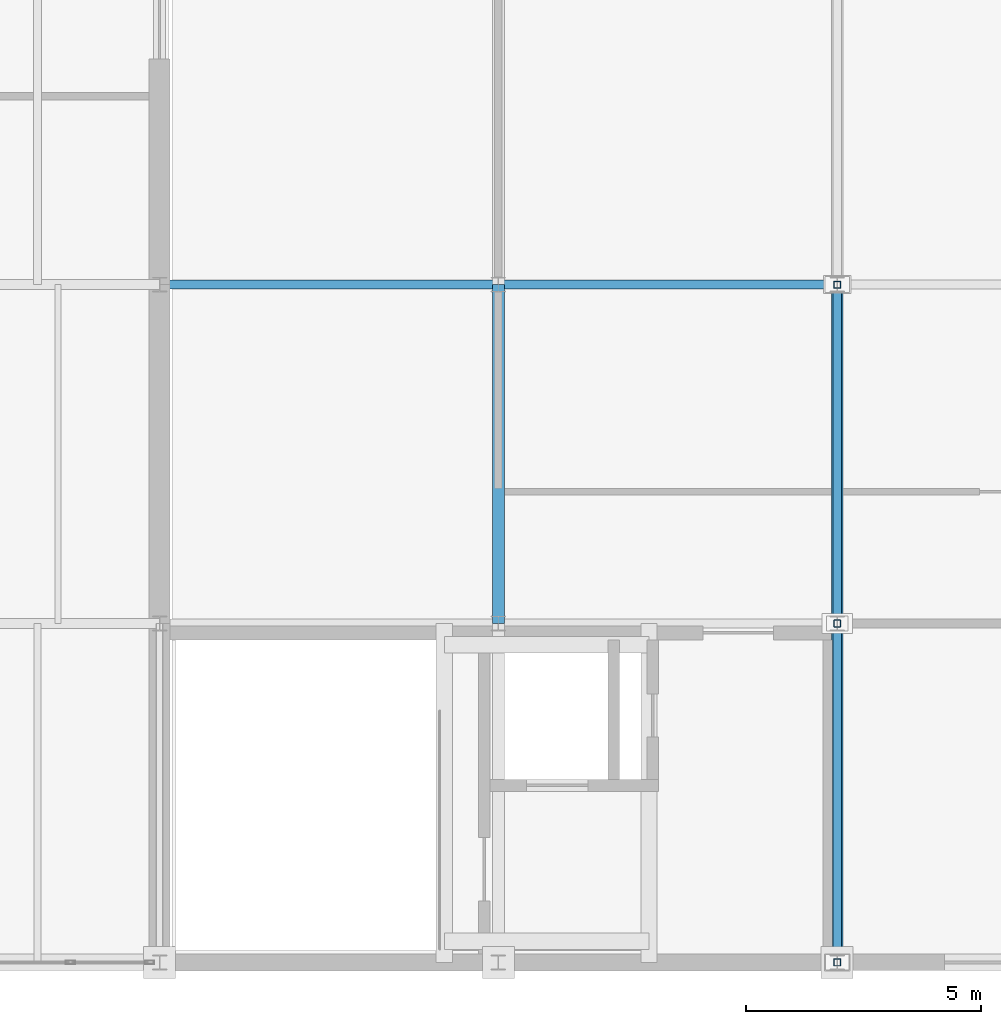
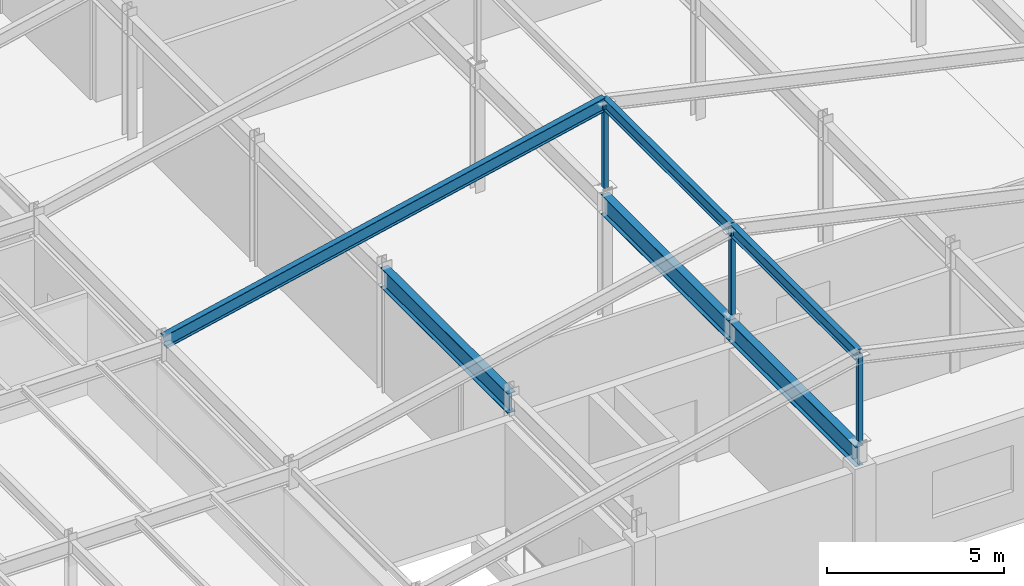
# One storey, part 76 of 137: 6 beams, 3 members.
"""IFC4 building model written with IfcOpenShell, lengths in metres."""

from ifc_helpers import new_model, si_unit, direction, frame, origin, origin_2d, place, context, subcontext, project, spatial, hollow_rectangle, i_section, extrude, material, material_profile, profile_set, type_object, element, save


model = new_model("IFC4")

# Units and contexts
model_context = context("Model", 3, precision=1e-05, world=origin(), true_north=direction((0.0, 1.0)))
body_context = subcontext(model_context, "Body", "Model", "MODEL_VIEW")
ifc_project = project(units=[si_unit("LENGTHUNIT", "METRE"), si_unit("AREAUNIT", "SQUARE_METRE"), si_unit("VOLUMEUNIT", "CUBIC_METRE"), si_unit("PLANEANGLEUNIT", "RADIAN"), si_unit("MASSUNIT", "GRAM", prefix="KILO")], contexts=[model_context])

# Site, building, storey
site_placement = place(None, origin())
site = spatial("IfcSite", under=ifc_project, at=site_placement, CompositionType="ELEMENT")
building_placement = place(site_placement, origin())
building = spatial("IfcBuilding", under=site, at=building_placement, Name="Kemerveld Promenade Tramway Depot", CompositionType="ELEMENT")
storey_placement = place(building_placement, frame((0.0, 0.0, 5.39990234375)))
storey = spatial("IfcBuildingStorey", under=building, at=storey_placement, Name="L01", CompositionType="ELEMENT", Elevation=5.39990234375)

# Beams
ifc_material = material(Name="Steel S355", Category="steel")
ifc_material_profile_1 = material_profile(ifc_material, i_section(OverallWidth=0.25439453125, OverallDepth=0.6875, WebThickness=0.01318359375, FlangeThickness=0.02099609375, FilletRadius=0.01513671875, at=origin_2d()), Name="686x254x152 UB")
ifc_profile_set_1 = profile_set([ifc_material_profile_1], Name="Steel S355")
beam_type_1 = type_object("IfcBeamType", Name="BM-G03", PredefinedType="BEAM", material=ifc_profile_set_1)
for number, where, z_axis, x_axis, name in (
    (1, (165.60009765625, 7.199951171875, 3.896484375), (0.0, 1.0, 0.0), (-1.0, 0.0, 0.0), "BMY-L01-24-B-C"),
    (2, (172.800048828125, 0.0, 3.896484375), (0.0, 1.0, 0.0), (-1.0, 0.0, 0.0), "BMY-L01-25-A-B"),
    (3, (172.800048828125, 7.199951171875, 3.896484375), (0.0, 1.0, 0.0), (-1.0, 0.0, 0.0), "BMY-L01-25-B-C"),
):
    element("IfcBeam", number, at=place(storey_placement, frame(where, z_axis=z_axis, x_axis=x_axis)), inside=storey, type_object=beam_type_1, Name=name, PredefinedType="BEAM", context=body_context, shape_type="SweptSolid", body=[
        extrude(i_section(OverallWidth=0.25439453125, OverallDepth=0.6875, WebThickness=0.01318359375, FlangeThickness=0.02099609375, FilletRadius=0.01513671875, at=origin_2d()), origin(), (0.0, 0.0, 1.0), 7.199951171875),
    ])
ifc_material_profile_2 = material_profile(ifc_material, i_section(OverallWidth=0.19140625, OverallDepth=0.4599609375, WebThickness=0.010009765625, FlangeThickness=0.01611328125, FilletRadius=0.01025390625, at=origin_2d()), Name="457x191x82 UB")
ifc_profile_set_2 = profile_set([ifc_material_profile_2], Name="Steel S355")
beam_type_2 = type_object("IfcBeamType", Name="BM-G06", PredefinedType="BEAM", material=ifc_profile_set_2)
beam_placement = place(storey_placement, frame((158.39990234375, 14.39990234375, 4.175048828125), z_axis=(0.976188228429, 0.0, 0.216925200651), x_axis=(0.0, 1.0, 0.0)))
element("IfcBeam", 4, at=beam_placement, inside=storey, type_object=beam_type_2, Name="RAF-V2W-C-A", PredefinedType="BEAM", context=body_context, shape_type="SweptSolid", body=[
    extrude(i_section(OverallWidth=0.19140625, OverallDepth=0.4599609375, WebThickness=0.010009765625, FlangeThickness=0.01611328125, FilletRadius=0.01025390625, at=origin_2d()), origin(), (0.0, 0.0, 1.0), 14.75146484375),
])
ifc_material_profile_3 = material_profile(ifc_material, i_section(OverallWidth=0.1787109375, OverallDepth=0.409423828125, WebThickness=0.0087890625, FlangeThickness=0.014404296875, FilletRadius=0.01025390625, at=origin_2d()), Name="406x178x67 UB")
ifc_profile_set_3 = profile_set([ifc_material_profile_3], Name="Steel S355")
beam_type_3 = type_object("IfcBeamType", Name="BM-G07", PredefinedType="BEAM", material=ifc_profile_set_3)
for number, where, z_axis, x_axis, name in (
    (5, (172.800048828125, 0.0, 7.375), (0.0, 1.0, 0.0), (-1.0, 0.0, 0.0), "BM-RDG-V2-1"),
    (6, (172.800048828125, 7.199951171875, 7.375), (0.0, 1.0, 0.0), (-1.0, 0.0, 0.0), "BM-RDG-V2-2"),
):
    element("IfcBeam", number, at=place(storey_placement, frame(where, z_axis=z_axis, x_axis=x_axis)), inside=storey, type_object=beam_type_3, Name=name, PredefinedType="BEAM", context=body_context, shape_type="SweptSolid", body=[
        extrude(i_section(OverallWidth=0.1787109375, OverallDepth=0.409423828125, WebThickness=0.0087890625, FlangeThickness=0.014404296875, FilletRadius=0.01025390625, at=origin_2d()), origin(), (0.0, 0.0, 1.0), 7.199951171875),
    ])

# Members
ifc_material_profile_4 = material_profile(ifc_material, hollow_rectangle(XDim=0.14990234375, YDim=0.14990234375, WallThickness=0.008056640625, InnerFilletRadius=0.00390625, OuterFilletRadius=0.011962890625, at=origin_2d()), Name="150x150x8.0 SHS")
ifc_profile_set_4 = profile_set([ifc_material_profile_4], Name="Steel S355")
member_type = type_object("IfcMemberType", Name="MB-TP2", PredefinedType="POST", material=ifc_profile_set_4)
for number, where, z_axis, x_axis, name in (
    (7, (172.800048828125, 0.0, 4.4501953125), (0.0, 0.0, 1.0), (1.0, 0.0, 0.0), "POST-RDG-V2-A"),
    (8, (172.800048828125, 7.199951171875, 4.4501953125), (0.0, 0.0, 1.0), (1.0, 0.0, 0.0), "POST-RDG-V2-B"),
    (9, (172.800048828125, 14.39990234375, 4.4501953125), (0.0, 0.0, 1.0), (1.0, 0.0, 0.0), "POST-RDG-V2-C"),
):
    element("IfcMember", number, at=place(storey_placement, frame(where, z_axis=z_axis, x_axis=x_axis)), inside=storey, type_object=member_type, Name=name, PredefinedType="POST", context=body_context, shape_type="SweptSolid", body=[
        extrude(hollow_rectangle(XDim=0.14990234375, YDim=0.14990234375, WallThickness=0.008056640625, InnerFilletRadius=0.00390625, OuterFilletRadius=0.011962890625, at=origin_2d()), origin(), (0.0, 0.0, 1.0), 2.96484375),
    ])

save(model, "model.ifc")
